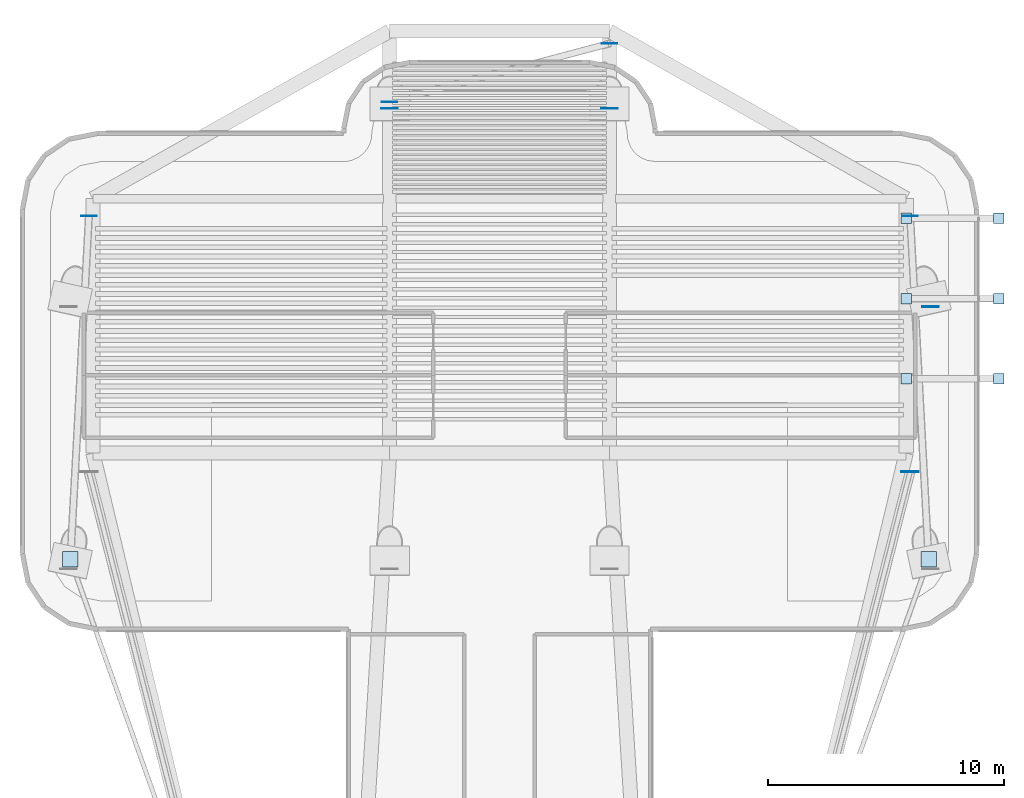
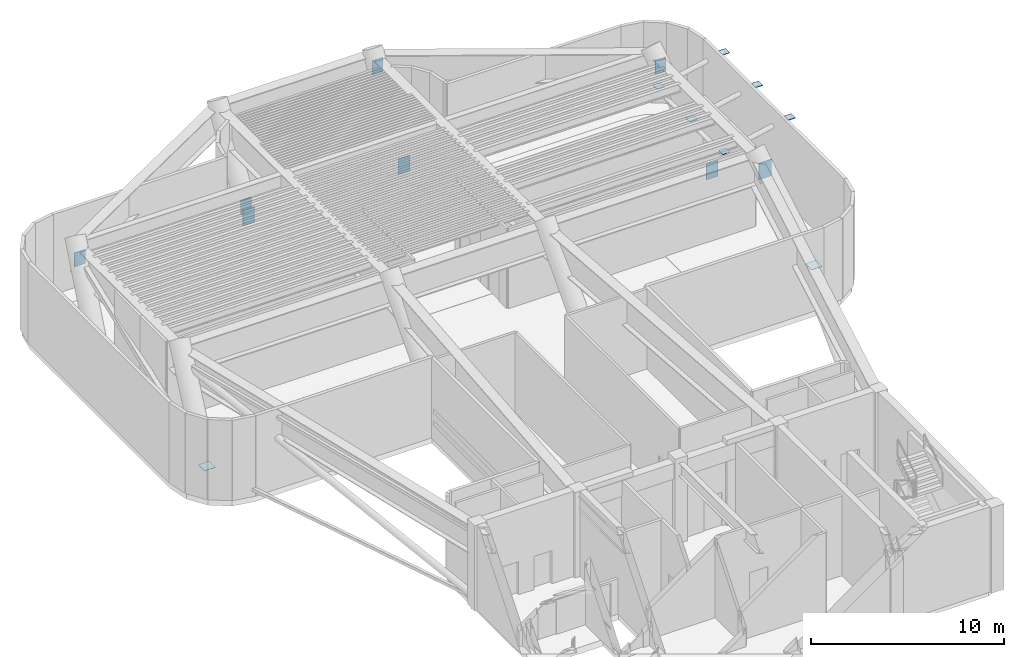
# One storey, part 4 of 11: 16 plates.
"""IFC4 building model written with IfcOpenShell, lengths in metres."""

from ifc_helpers import new_model, si_unit, direction, frame, origin, origin_2d, place, context, subcontext, project, spatial, rectangle, extrude, source, transform, mapped, material, type_object, element, save


model = new_model("IFC4")

# Units and contexts
model_context = context("Model", 3, precision=1e-05, world=origin(), true_north=direction((0.0, 1.0)))
body_context = subcontext(model_context, "Body", "Model", "MODEL_VIEW")
ifc_project = project(units=[si_unit("LENGTHUNIT", "METRE"), si_unit("AREAUNIT", "SQUARE_METRE"), si_unit("VOLUMEUNIT", "CUBIC_METRE"), si_unit("PLANEANGLEUNIT", "RADIAN"), si_unit("MASSUNIT", "GRAM", prefix="KILO")], contexts=[model_context])

# Site, building, storey
site_placement = place(None, origin())
site = spatial("IfcSite", under=ifc_project, at=site_placement, CompositionType="ELEMENT")
building_placement = place(site_placement, origin())
building = spatial("IfcBuilding", under=site, at=building_placement, Name="Brelvock Crest Care Tower", CompositionType="ELEMENT")
storey_placement = place(building_placement, frame((0.0, 0.0, 213.1201171875)))
storey = spatial("IfcBuildingStorey", under=building, at=storey_placement, Name="L54", CompositionType="ELEMENT", Elevation=213.1201171875)

# Plates
ifc_material = material(Name="Steel Grade 350", Category="steel")
plate_type_1 = type_object("IfcPlateType", Name="PLT-EC3", PredefinedType="USERDEFINED", material=ifc_material)
shared_shape_1 = source(origin(), body_context, "Body", "SweptSolid", [
    extrude(rectangle(XDim=0.449951171875, YDim=0.449951171875, at=origin_2d()), origin(), (0.0, 0.0, 1.0), 0.02490234375),
])
for number, where, z_axis, x_axis, name in (
    (1, (53.213623046875, 43.0, 3.33740234375), (0.0, 0.0, 1.0), (1.0, 0.0, 0.0), "PLT-SPC1-1"),
    (2, (57.1298828125, 43.0, 4.137451171875), (0.0, 0.0, 1.0), (1.0, 0.0, 0.0), "PLT-SPC2-1"),
    (3, (53.213623046875, 46.39990234375, 3.33740234375), (0.0, 0.0, 1.0), (1.0, 0.0, 0.0), "PLT-SPC1-2"),
    (4, (57.1298828125, 46.39990234375, 4.137451171875), (0.0, 0.0, 1.0), (1.0, 0.0, 0.0), "PLT-SPC2-2"),
    (5, (53.213623046875, 49.800048828125, 3.33740234375), (0.0, 0.0, 1.0), (1.0, 0.0, 0.0), "PLT-SPC1-3"),
    (6, (57.1298828125, 49.800048828125, 4.137451171875), (0.0, 0.0, 1.0), (1.0, 0.0, 0.0), "PLT-SPC2-3"),
):
    element("IfcPlate", number, at=place(storey_placement, frame(where, z_axis=z_axis, x_axis=x_axis)), inside=storey, type_object=plate_type_1, Name=name, ObjectType="FLANGE_PLATE", PredefinedType="USERDEFINED", context=body_context, shape_type="MappedRepresentation", body=[
        mapped(shared_shape_1, transform((0.0, 0.0, 0.0), x_axis=(1.0, 0.0, 0.0), y_axis=(0.0, 1.0, 0.0), z_axis=(0.0, 0.0, 1.0), scale=1.0)),
    ])
plate_type_2 = type_object("IfcPlateType", Name="PLT-EC2", PredefinedType="USERDEFINED", material=ifc_material)
shared_shape_2 = source(origin(), body_context, "Body", "SweptSolid", [
    extrude(rectangle(XDim=0.64990234375, YDim=0.64990234375, at=origin_2d()), origin(), (0.0, 0.0, 1.0), 0.02490234375),
])
for number, where, z_axis, x_axis, name in (
    (7, (17.83642578125, 35.359130859375, 0.4375), (0.0, 0.0, 1.0), (1.0, 0.0, 0.0), "PLT-CAP-OT-L54-W1"),
    (8, (54.16357421875, 35.359130859375, 0.4375), (0.0, 0.0, 1.0), (1.0, 0.0, 0.0), "PLT-CAP-OT-L54-E1"),
):
    element("IfcPlate", number, at=place(storey_placement, frame(where, z_axis=z_axis, x_axis=x_axis)), inside=storey, type_object=plate_type_2, Name=name, ObjectType="FLANGE_PLATE", PredefinedType="USERDEFINED", context=body_context, shape_type="MappedRepresentation", body=[
        mapped(shared_shape_2, transform((0.0, 0.0, 0.0), x_axis=(1.0, 0.0, 0.0), y_axis=(0.0, 1.0, 0.0), z_axis=(0.0, 0.0, 1.0), scale=1.0)),
    ])
plate_type_3 = type_object("IfcPlateType", Name="PLT-BN1", PredefinedType="USERDEFINED", material=ifc_material)
shared_shape_3 = source(origin(), body_context, "Body", "SweptSolid", [
    extrude(rectangle(XDim=0.64990234375, YDim=0.028076171875, at=origin_2d()), origin(), (0.0, 0.0, 1.0), 0.89990234375),
])
for number, where, z_axis, x_axis, name in (
    (9, (18.619384765625, 49.8935546875, 4.079833984375), (0.0, 0.0, 1.0), (1.0, 0.0, 0.0), "PLT-BT-L54-BW"),
    (10, (53.380615234375, 49.8935546875, 4.079833984375), (0.0, 0.0, 1.0), (1.0, 0.0, 0.0), "PLT-BT-L54-BE"),
    (11, (40.64990234375, 57.1953125, 4.079833984375), (0.0, 0.0, 1.0), (1.0, 0.0, 0.0), "PLT-BT-L54-BN"),
    (12, (31.35009765625, 54.72265625, 0.0), (0.0, 0.0, 1.0), (1.0, 0.0, 0.0), "PLT-BTC1-L54-BN"),
):
    element("IfcPlate", number, at=place(storey_placement, frame(where, z_axis=z_axis, x_axis=x_axis)), inside=storey, type_object=plate_type_3, Name=name, ObjectType="GUSSET", PredefinedType="USERDEFINED", context=body_context, shape_type="MappedRepresentation", body=[
        mapped(shared_shape_3, transform((0.0, 0.0, 0.0), x_axis=(1.0, 0.0, 0.0), y_axis=(0.0, 1.0, 0.0), z_axis=(0.0, 0.0, 1.0), scale=1.0)),
    ])
plate_type_4 = type_object("IfcPlateType", Name="PLT-KN3", PredefinedType="USERDEFINED", material=ifc_material)
shared_shape_4 = source(origin(), body_context, "Body", "SweptSolid", [
    extrude(rectangle(XDim=0.699951171875, YDim=0.031982421875, at=origin_2d()), origin(), (0.0, 0.0, 1.0), 1.0),
])
for number, where, z_axis, x_axis, name in (
    (13, (54.25, 46.050048828125, -0.550048828125), (0.0, 0.0, 1.0), (1.0, 0.0, 0.0), "PLT-KINK-L54-04"),
    (14, (31.35009765625, 54.449951171875, -0.550048828125), (0.0, 0.0, 1.0), (1.0, 0.0, 0.0), "PLT-KINK-L54-07"),
    (15, (40.64990234375, 54.449951171875, -0.550048828125), (0.0, 0.0, 1.0), (1.0, 0.0, 0.0), "PLT-KINK-L54-08"),
):
    element("IfcPlate", number, at=place(storey_placement, frame(where, z_axis=z_axis, x_axis=x_axis)), inside=storey, type_object=plate_type_4, Name=name, ObjectType="GUSSET", PredefinedType="USERDEFINED", context=body_context, shape_type="MappedRepresentation", body=[
        mapped(shared_shape_4, transform((0.0, 0.0, 0.0), x_axis=(1.0, 0.0, 0.0), y_axis=(0.0, 1.0, 0.0), z_axis=(0.0, 0.0, 1.0), scale=1.0)),
    ])
plate_type_5 = type_object("IfcPlateType", Name="PLT-ON2", PredefinedType="USERDEFINED", material=ifc_material)
shared_shape_5 = source(origin(), body_context, "Body", "SweptSolid", [
    extrude(rectangle(XDim=0.75, YDim=0.031982421875, at=origin_2d()), origin(), (0.0, 0.0, 1.0), 1.050048828125),
])
plate_placement = place(storey_placement, frame((53.380615234375, 39.068115234375, 4.0048828125), z_axis=(0.0, 0.0, 1.0), x_axis=(1.0, 0.0, 0.0)))
element("IfcPlate", 16, at=plate_placement, inside=storey, type_object=plate_type_5, Name="PLT-CAP-OTT-L54-E1", ObjectType="GUSSET", PredefinedType="USERDEFINED", context=body_context, shape_type="MappedRepresentation", body=[
    mapped(shared_shape_5, transform((0.0, 0.0, 0.0), x_axis=(1.0, 0.0, 0.0), y_axis=(0.0, 1.0, 0.0), z_axis=(0.0, 0.0, 1.0), scale=1.0)),
])

save(model, "model.ifc")
